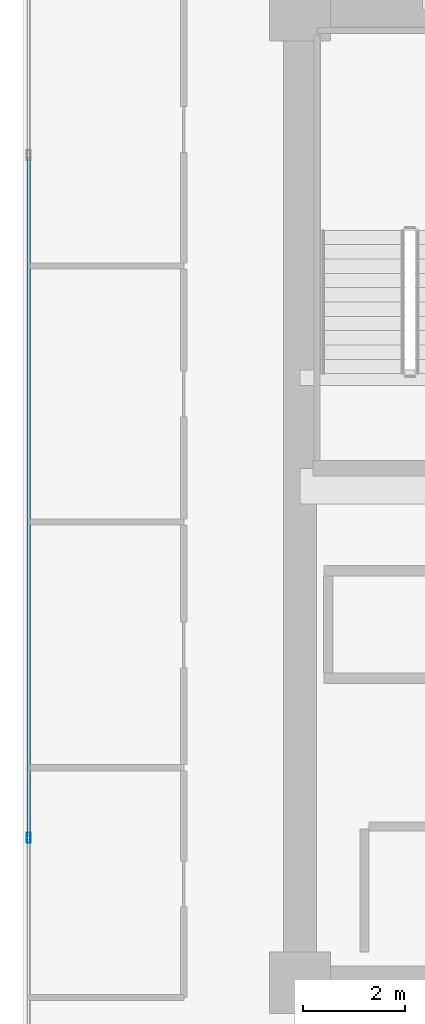
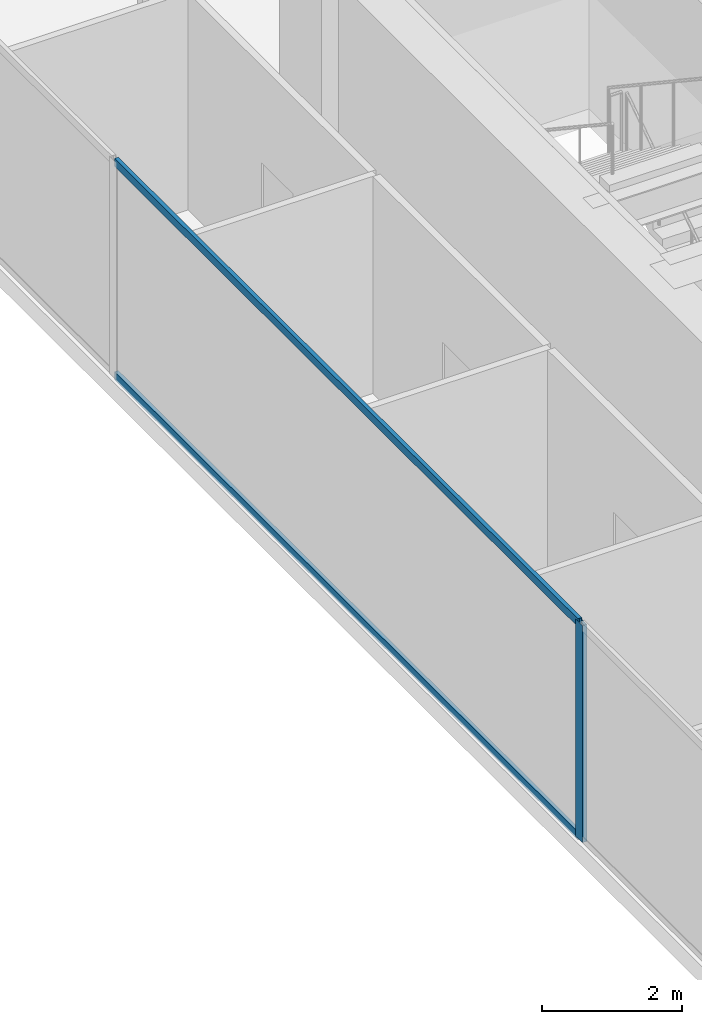
# One storey, part 6 of 31: 3 members, 1 element without a shape of its own.
"""IFC4 building model written with IfcOpenShell, lengths in metres."""

from ifc_helpers import new_model, si_unit, direction, frame, origin, origin_2d, place, context, subcontext, project, spatial, hollow_rectangle, extrude, source, transform, mapped, material, layer, layer_set, material_profile, profile_set, type_object, type_shapes, element, aggregate, save


model = new_model("IFC4")

# Units and contexts
model_context = context("Model", 3, precision=1e-05, world=origin(), true_north=direction((0.0, 1.0)))
body_context = subcontext(model_context, "Body", "Model", "MODEL_VIEW")
ifc_project = project(units=[si_unit("LENGTHUNIT", "METRE"), si_unit("AREAUNIT", "SQUARE_METRE"), si_unit("VOLUMEUNIT", "CUBIC_METRE"), si_unit("PLANEANGLEUNIT", "RADIAN"), si_unit("MASSUNIT", "GRAM", prefix="KILO")], contexts=[model_context])

# Site, building, storey
site_placement = place(None, origin())
site = spatial("IfcSite", under=ifc_project, at=site_placement, CompositionType="ELEMENT")
building_placement = place(site_placement, origin())
building = spatial("IfcBuilding", under=site, at=building_placement, Name="Haelvirn Gate Laboratories", CompositionType="ELEMENT")
storey_placement = place(building_placement, frame((0.0, 0.0, 150.199951171875)))
storey = spatial("IfcBuildingStorey", under=building, at=storey_placement, Name="L36", CompositionType="ELEMENT", Elevation=150.199951171875)

# Curtain wall, members
ifc_material_1 = material(Name="Anodised bronze unitised aluminium & triple low-E glass", Category="aluminium")
ifc_layer = layer(ifc_material_1, 0.179931640625, Name="CW-SYS-3")
ifc_layer_set = layer_set([ifc_layer], Name="Anodised bronze unitised aluminium & triple low-E glass")
curtain_wall_type = type_object("IfcCurtainWallType", Name="CW-SYS-3", PredefinedType="NOTDEFINED", material=ifc_layer_set)
curtain_wall_placement = place(storey_placement, origin())
curtain_wall = element("IfcCurtainWall", 1, at=curtain_wall_placement, inside=storey, type_object=curtain_wall_type, Name="L36 Unitised Curtain Wall CW-L36-P0-E17", PredefinedType="NOTDEFINED")
ifc_material_2 = material(Name="Extruded aluminium 6063-T6 (anodised bronze)", Category="aluminium")
ifc_material_profile_1 = material_profile(ifc_material_2, hollow_rectangle(XDim=0.06494140625, YDim=0.139892578125, WallThickness=0.00390625, at=origin_2d()), Name="CWT-140x65x4")
ifc_profile_set_1 = profile_set([ifc_material_profile_1], Name="Extruded aluminium 6063-T6 (anodised bronze)")
member_type_1 = type_object("IfcMemberType", Name="CWT-T140", PredefinedType="USERDEFINED", material=ifc_profile_set_1)
shared_shape_1 = source(origin(), body_context, "Body", "SweptSolid", [
    extrude(hollow_rectangle(XDim=0.06494140625, YDim=0.139892578125, WallThickness=0.00390625, at=origin_2d()), origin(), (0.0, 0.0, 1.0), 13.25830078125),
])
type_shapes(member_type_1, [shared_shape_1])
member_1_placement = place(storey_placement, frame((2.10009765625, 30.92919921875, 0.032470703125), z_axis=(0.0, -1.0, 0.0), x_axis=(1.0, 0.0, 0.0)))
member_1 = element("IfcMember", 2, at=member_1_placement, type_object=member_type_1, Name="CW3 transom 2.1", ObjectType="TRANSOM", PredefinedType="USERDEFINED", context=body_context, shape_type="MappedRepresentation", body=[
    mapped(shared_shape_1, transform((0.0, 0.0, 0.0), scale=1.0)),
])
member_2_placement = place(storey_placement, frame((2.10009765625, 30.92919921875, 3.757568359375), z_axis=(0.0, -1.0, 0.0), x_axis=(1.0, 0.0, 0.0)))
member_2 = element("IfcMember", 3, at=member_2_placement, type_object=member_type_1, Name="CW3 transom 2.2", ObjectType="TRANSOM", PredefinedType="USERDEFINED", context=body_context, shape_type="MappedRepresentation", body=[
    mapped(shared_shape_1, transform((0.0, 0.0, 0.0), scale=1.0)),
])
ifc_material_profile_2 = material_profile(ifc_material_2, hollow_rectangle(XDim=0.074951171875, YDim=0.199951171875, WallThickness=0.0048828125, at=origin_2d()), Name="CWM-200x75x5")
ifc_profile_set_2 = profile_set([ifc_material_profile_2], Name="Extruded aluminium 6063-T6 (anodised bronze)")
member_type_2 = type_object("IfcMemberType", Name="CWM-T200", PredefinedType="MULLION", material=ifc_profile_set_2)
shared_shape_2 = source(origin(), body_context, "Body", "SweptSolid", [
    extrude(hollow_rectangle(XDim=0.074951171875, YDim=0.199951171875, WallThickness=0.0048828125, at=origin_2d()), origin(), (0.0, 0.0, 1.0), 3.7900390625),
])
type_shapes(member_type_2, [shared_shape_2])
member_3_placement = place(storey_placement, frame((2.10009765625, 17.63330078125, 0.0), z_axis=(0.0, 0.0, 1.0), x_axis=(1.0, 0.0, 0.0)))
member_3 = element("IfcMember", 4, at=member_3_placement, type_object=member_type_2, Name="CW3 mullion 3", PredefinedType="MULLION", context=body_context, shape_type="MappedRepresentation", body=[
    mapped(shared_shape_2, transform((0.0, 0.0, 0.0), scale=1.0)),
])
aggregate(curtain_wall, [member_3, member_1, member_2])

save(model, "model.ifc")
